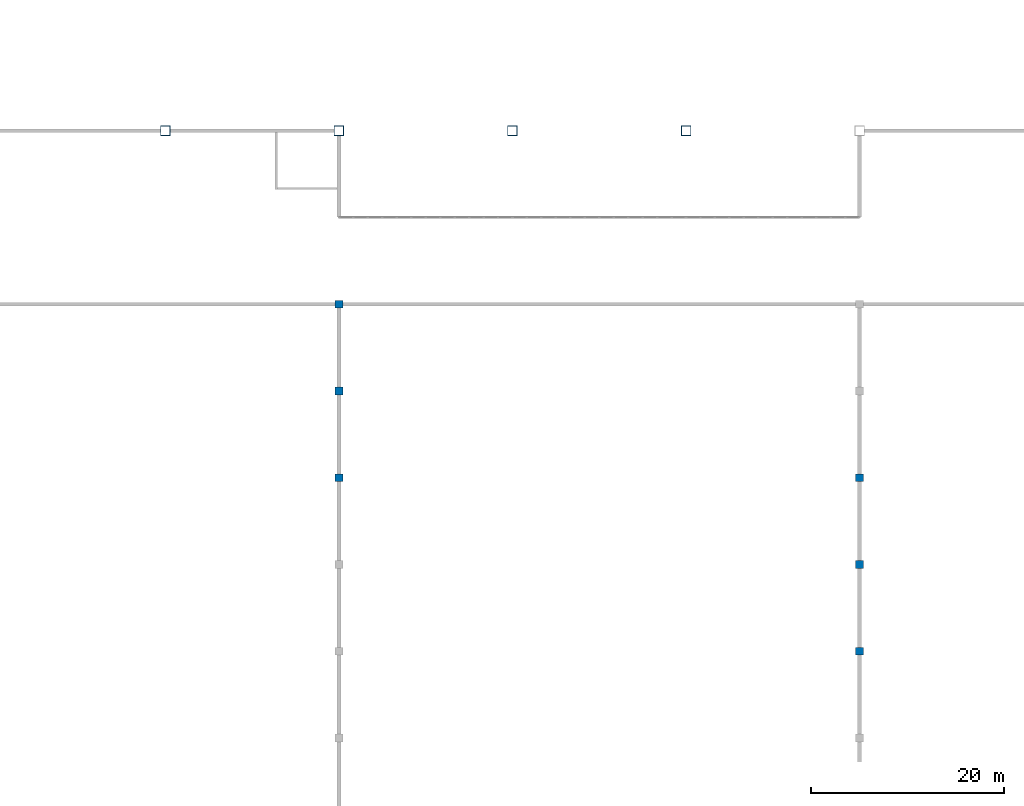
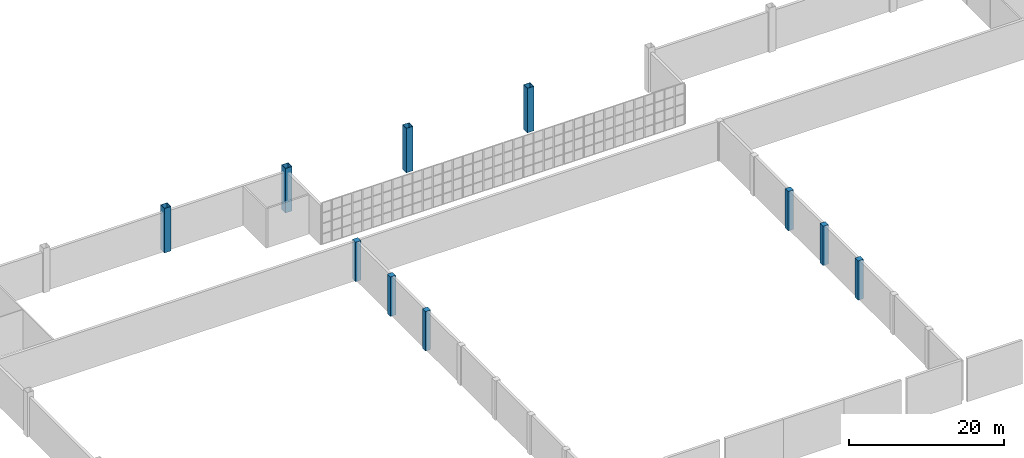
# One storey, part 5 of 85: 10 columns.
"""IFC4 building model written with IfcOpenShell, lengths in metres."""

from ifc_helpers import new_model, si_unit, direction, frame, origin, origin_2d, place, context, subcontext, project, spatial, rectangle, hollow_rectangle, extrude, material, material_profile, profile_set, type_object, element, save


model = new_model("IFC4")

# Units and contexts
model_context = context("Model", 3, precision=1e-05, world=origin(), true_north=direction((0.0, 1.0)))
body_context = subcontext(model_context, "Body", "Model", "MODEL_VIEW")
ifc_project = project(units=[si_unit("LENGTHUNIT", "METRE"), si_unit("AREAUNIT", "SQUARE_METRE"), si_unit("VOLUMEUNIT", "CUBIC_METRE"), si_unit("PLANEANGLEUNIT", "RADIAN"), si_unit("MASSUNIT", "GRAM", prefix="KILO")], contexts=[model_context])

# Site, building, storey
site_placement = place(None, origin())
site = spatial("IfcSite", under=ifc_project, at=site_placement, CompositionType="ELEMENT")
building_placement = place(site_placement, origin())
building = spatial("IfcBuilding", under=site, at=building_placement, Name="Opaline Strait Convention Centre", CompositionType="ELEMENT")
storey_placement = place(building_placement, frame((0.0, 0.0, 17.0)))
storey = spatial("IfcBuildingStorey", under=building, at=storey_placement, Name="L03", CompositionType="ELEMENT", Elevation=17.0)

# Columns
ifc_material_1 = material(Name="Steel Q355B", Category="steel")
ifc_material_profile_1 = material_profile(ifc_material_1, hollow_rectangle(XDim=1.0, YDim=1.0, WallThickness=0.031982421875, at=origin_2d()), Name="BOX 1000x1000x32")
ifc_profile_set_1 = profile_set([ifc_material_profile_1], Name="Steel Q355B")
column_type_1 = type_object("IfcColumnType", Name="CFT column BOX 1000x1000x32 C60 fill", PredefinedType="COLUMN", material=ifc_profile_set_1)
for number, where, z_axis, x_axis, name in (
    (1, (135.0, 153.0, 0.0), (0.0, 0.0, 1.0), (1.0, 0.0, 0.0), "Roof column XC-11"),
    (2, (153.0, 153.0, 0.0), (0.0, 0.0, 1.0), (1.0, 0.0, 0.0), "Roof column XC-13"),
    (3, (171.0, 153.0, 0.0), (0.0, 0.0, 1.0), (1.0, 0.0, 0.0), "Roof column XC-15"),
    (4, (189.0, 153.0, 0.0), (0.0, 0.0, 1.0), (1.0, 0.0, 0.0), "Roof column XC-17"),
):
    element("IfcColumn", number, at=place(storey_placement, frame(where, z_axis=z_axis, x_axis=x_axis)), inside=storey, type_object=column_type_1, Name=name, ObjectType="XC1", PredefinedType="COLUMN", context=body_context, shape_type="SweptSolid", body=[
        extrude(hollow_rectangle(XDim=1.0, YDim=1.0, WallThickness=0.031982421875, at=origin_2d()), origin(), (0.0, 0.0, 1.0), 7.0),
    ])
ifc_material_2 = material(Name="Concrete C40", Category="concrete")
ifc_material_profile_2 = material_profile(ifc_material_2, rectangle(XDim=0.800048828125, YDim=0.800048828125, at=origin_2d()), Name="RC 800x800")
ifc_profile_set_2 = profile_set([ifc_material_profile_2], Name="Concrete C40")
column_type_2 = type_object("IfcColumnType", Name="RC column 800x800 C40", PredefinedType="COLUMN", material=ifc_profile_set_2)
for number, where, z_axis, x_axis, name in (
    (5, (153.0, 117.0, 0.0), (0.0, 0.0, 1.0), (1.0, 0.0, 0.0), "Fire wall pilaster above L03"),
    (6, (153.0, 126.0, 0.0), (0.0, 0.0, 1.0), (1.0, 0.0, 0.0), "Fire wall pilaster above L03"),
    (7, (153.0, 135.0, 0.0), (0.0, 0.0, 1.0), (1.0, 0.0, 0.0), "Fire wall pilaster above L03"),
    (8, (207.0, 99.0, 0.0), (0.0, 0.0, 1.0), (1.0, 0.0, 0.0), "Fire wall pilaster above L03"),
    (9, (207.0, 108.0, 0.0), (0.0, 0.0, 1.0), (1.0, 0.0, 0.0), "Fire wall pilaster above L03"),
    (10, (207.0, 117.0, 0.0), (0.0, 0.0, 1.0), (1.0, 0.0, 0.0), "Fire wall pilaster above L03"),
):
    element("IfcColumn", number, at=place(storey_placement, frame(where, z_axis=z_axis, x_axis=x_axis)), inside=storey, type_object=column_type_2, Name=name, ObjectType="XC2", PredefinedType="COLUMN", context=body_context, shape_type="SweptSolid", body=[
        extrude(rectangle(XDim=0.800048828125, YDim=0.800048828125, at=origin_2d()), origin(), (0.0, 0.0, 1.0), 6.199951171875),
    ])

save(model, "model.ifc")
